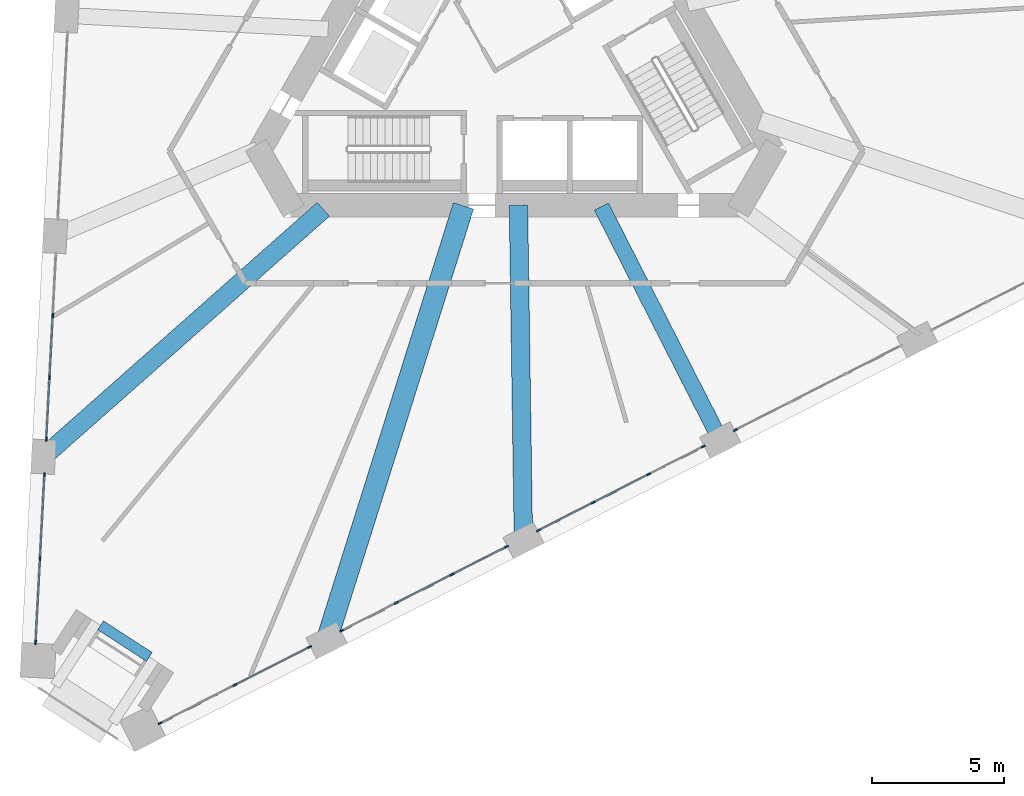
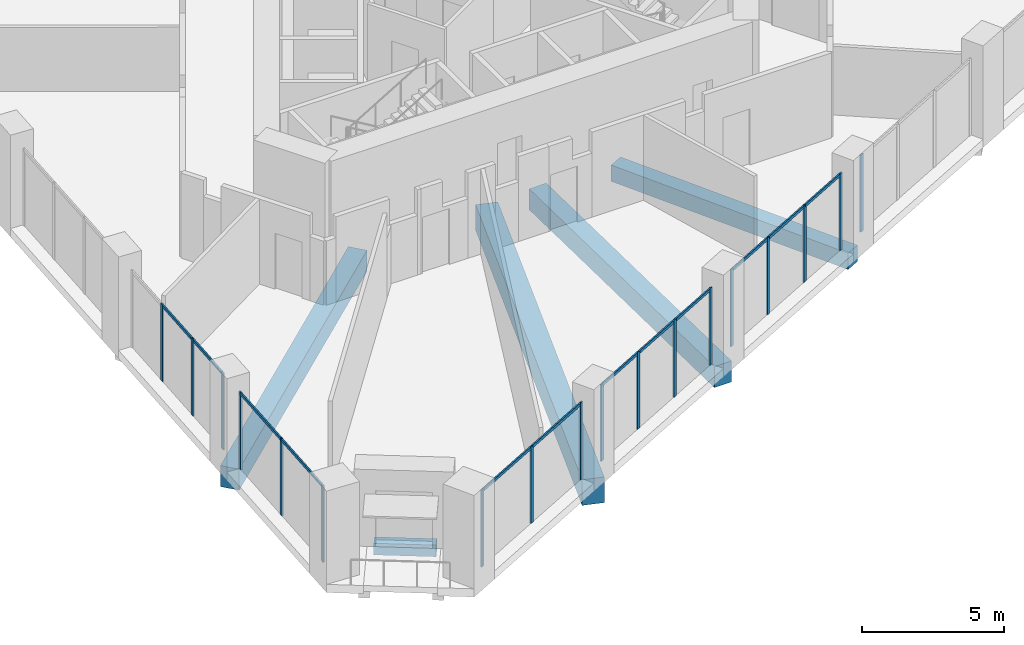
# One storey, part 2 of 18: 30 members, 5 beams, 6 elements without a shape of their own.
"""IFC4 building model written with IfcOpenShell, lengths in metres."""

from ifc_helpers import new_model, si_unit, direction, frame, origin, origin_2d, place, context, subcontext, project, spatial, rectangle, extrude, material, layer, layer_set, material_profile, profile_set, type_object, element, aggregate, save


model = new_model("IFC4")

# Units and contexts
model_context = context("Model", 3, precision=1e-05, world=origin(), true_north=direction((0.0, 1.0)))
body_context = subcontext(model_context, "Body", "Model", "MODEL_VIEW")
ifc_project = project(units=[si_unit("LENGTHUNIT", "METRE"), si_unit("AREAUNIT", "SQUARE_METRE"), si_unit("VOLUMEUNIT", "CUBIC_METRE"), si_unit("PLANEANGLEUNIT", "RADIAN"), si_unit("MASSUNIT", "GRAM", prefix="KILO")], contexts=[model_context])

# Site, building, storey
site_placement = place(None, origin())
site = spatial("IfcSite", under=ifc_project, at=site_placement, CompositionType="ELEMENT")
building_placement = place(site_placement, origin())
building = spatial("IfcBuilding", under=site, at=building_placement, Name="Tramontana Tower", CompositionType="ELEMENT")
storey_placement = place(building_placement, frame((0.0, 0.0, 125.60009765625)))
storey = spatial("IfcBuildingStorey", under=building, at=storey_placement, Name="L28", CompositionType="ELEMENT", Elevation=125.60009765625)

# Curtain wall, members
ifc_material_1 = material(Name="Aluminum extrusion", Category="aluminium")
ifc_layer = layer(ifc_material_1, 0.14990234375)
ifc_layer_set = layer_set([ifc_layer], Name="CW3 Sky lobby 1 curtain wall")
curtain_wall_type = type_object("IfcCurtainWallType", Name="CW3 Sky lobby 1 curtain wall", PredefinedType="NOTDEFINED", material=ifc_layer_set)
curtain_wall_1_placement = place(storey_placement, origin())
curtain_wall_1 = element("IfcCurtainWall", 1, at=curtain_wall_1_placement, inside=storey, type_object=curtain_wall_type, Name="CW3 curtain wall L28 face 0 bay 5", PredefinedType="NOTDEFINED")
ifc_material_2 = material(Name="Aluminum extrusion", Category="aluminium")
ifc_material_profile_1 = material_profile(ifc_material_2, rectangle(XDim=0.06005859375, YDim=0.159912109375, at=origin_2d()), Name="CW3-M Mullion 60 x 160")
ifc_profile_set_1 = profile_set([ifc_material_profile_1], Name="Aluminum extrusion")
member_type_1 = type_object("IfcMemberType", Name="CW3-M Mullion 60 x 160", PredefinedType="MULLION", material=ifc_profile_set_1)
member_1_placement = place(storey_placement, frame((-17.54736328125, -10.474853515625, 0.0), z_axis=(0.0, 0.0, 1.0), x_axis=(0.998629534755, -0.052335956243, 0.0)))
member_1 = element("IfcMember", 2, at=member_1_placement, type_object=member_type_1, Name="CW3 curtain wall L28 face 0 bay 5 mullion 2", PredefinedType="MULLION", context=body_context, shape_type="SweptSolid", body=[
    extrude(rectangle(XDim=0.06005859375, YDim=0.159912109375, at=origin_2d()), origin(), (0.0, 0.0, 1.0), 3.2998046875),
])
member_2_placement = place(storey_placement, frame((-17.670654296875, -12.828857421875, 0.0), z_axis=(0.0, 0.0, 1.0), x_axis=(0.998629534755, -0.052335956243, 0.0)))
member_2 = element("IfcMember", 3, at=member_2_placement, type_object=member_type_1, Name="CW3 curtain wall L28 face 0 bay 5 mullion 3", PredefinedType="MULLION", context=body_context, shape_type="SweptSolid", body=[
    extrude(rectangle(XDim=0.06005859375, YDim=0.159912109375, at=origin_2d()), origin(), (0.0, 0.0, 1.0), 3.2998046875),
])
member_3_placement = place(storey_placement, frame((-17.79248046875, -15.15283203125, 0.0), z_axis=(0.0, 0.0, 1.0), x_axis=(0.998629534755, -0.052335956243, 0.0)))
member_3 = element("IfcMember", 4, at=member_3_placement, type_object=member_type_1, Name="CW3 curtain wall L28 face 0 bay 5 mullion 4", PredefinedType="MULLION", context=body_context, shape_type="SweptSolid", body=[
    extrude(rectangle(XDim=0.06005859375, YDim=0.159912109375, at=origin_2d()), origin(), (0.0, 0.0, 1.0), 3.2998046875),
])

curtain_wall_2_placement = place(storey_placement, origin())
curtain_wall_2 = element("IfcCurtainWall", 5, at=curtain_wall_2_placement, inside=storey, type_object=curtain_wall_type, Name="CW3 curtain wall L28 face 0 bay 6", PredefinedType="NOTDEFINED")
member_4_placement = place(storey_placement, frame((-17.863525390625, -16.510986328125, 0.0), z_axis=(0.0, 0.0, 1.0), x_axis=(0.998629534755, -0.052335956243, 0.0)))
member_4 = element("IfcMember", 6, at=member_4_placement, type_object=member_type_1, Name="CW3 curtain wall L28 face 0 bay 6 mullion 1", PredefinedType="MULLION", context=body_context, shape_type="SweptSolid", body=[
    extrude(rectangle(XDim=0.06005859375, YDim=0.159912109375, at=origin_2d()), origin(), (0.0, 0.0, 1.0), 3.2998046875),
])
member_5_placement = place(storey_placement, frame((-18.030029296875, -19.687255859375, 0.0), z_axis=(0.0, 0.0, 1.0), x_axis=(0.998629534755, -0.052335956243, 0.0)))
member_5 = element("IfcMember", 7, at=member_5_placement, type_object=member_type_1, Name="CW3 curtain wall L28 face 0 bay 6 mullion 2", PredefinedType="MULLION", context=body_context, shape_type="SweptSolid", body=[
    extrude(rectangle(XDim=0.06005859375, YDim=0.159912109375, at=origin_2d()), origin(), (0.0, 0.0, 1.0), 3.2998046875),
])
member_6_placement = place(storey_placement, frame((-18.196533203125, -22.86376953125, 0.0), z_axis=(0.0, 0.0, 1.0), x_axis=(0.998629534755, -0.052335956243, 0.0)))
member_6 = element("IfcMember", 8, at=member_6_placement, type_object=member_type_1, Name="CW3 curtain wall L28 face 0 bay 6 mullion 3", PredefinedType="MULLION", context=body_context, shape_type="SweptSolid", body=[
    extrude(rectangle(XDim=0.06005859375, YDim=0.159912109375, at=origin_2d()), origin(), (0.0, 0.0, 1.0), 3.2998046875),
])

curtain_wall_3_placement = place(storey_placement, origin())
curtain_wall_3 = element("IfcCurtainWall", 9, at=curtain_wall_3_placement, inside=storey, type_object=curtain_wall_type, Name="CW3 curtain wall L28 face 1 bay 1", PredefinedType="NOTDEFINED")
member_7_placement = place(storey_placement, frame((-13.48583984375, -25.9228515625, 0.0), z_axis=(0.0, 0.0, 1.0), x_axis=(-0.45399049974, 0.891006524188, 0.0)))
member_7 = element("IfcMember", 10, at=member_7_placement, type_object=member_type_1, Name="CW3 curtain wall L28 face 1 bay 1 mullion 1", PredefinedType="MULLION", context=body_context, shape_type="SweptSolid", body=[
    extrude(rectangle(XDim=0.06005859375, YDim=0.159912109375, at=origin_2d()), origin(), (0.0, 0.0, 1.0), 3.2998046875),
])
member_8_placement = place(storey_placement, frame((-10.65185546875, -24.478759765625, 0.0), z_axis=(0.0, 0.0, 1.0), x_axis=(-0.45399049974, 0.891006524188, 0.0)))
member_8 = element("IfcMember", 11, at=member_8_placement, type_object=member_type_1, Name="CW3 curtain wall L28 face 1 bay 1 mullion 2", PredefinedType="MULLION", context=body_context, shape_type="SweptSolid", body=[
    extrude(rectangle(XDim=0.06005859375, YDim=0.159912109375, at=origin_2d()), origin(), (0.0, 0.0, 1.0), 3.2998046875),
])
member_9_placement = place(storey_placement, frame((-7.817626953125, -23.03466796875, 0.0), z_axis=(0.0, 0.0, 1.0), x_axis=(-0.45399049974, 0.891006524188, 0.0)))
member_9 = element("IfcMember", 12, at=member_9_placement, type_object=member_type_1, Name="CW3 curtain wall L28 face 1 bay 1 mullion 3", PredefinedType="MULLION", context=body_context, shape_type="SweptSolid", body=[
    extrude(rectangle(XDim=0.06005859375, YDim=0.159912109375, at=origin_2d()), origin(), (0.0, 0.0, 1.0), 3.2998046875),
])

curtain_wall_4_placement = place(storey_placement, origin())
curtain_wall_4 = element("IfcCurtainWall", 13, at=curtain_wall_4_placement, inside=storey, type_object=curtain_wall_type, Name="CW3 curtain wall L28 face 1 bay 2", PredefinedType="NOTDEFINED")
member_10_placement = place(storey_placement, frame((-6.60595703125, -22.417236328125, 0.0), z_axis=(0.0, 0.0, 1.0), x_axis=(-0.45399049974, 0.891006524188, 0.0)))
member_10 = element("IfcMember", 14, at=member_10_placement, type_object=member_type_1, Name="CW3 curtain wall L28 face 1 bay 2 mullion 1", PredefinedType="MULLION", context=body_context, shape_type="SweptSolid", body=[
    extrude(rectangle(XDim=0.06005859375, YDim=0.159912109375, at=origin_2d()), origin(), (0.0, 0.0, 1.0), 3.2998046875),
])
member_11_placement = place(storey_placement, frame((-4.5322265625, -21.36083984375, 0.0), z_axis=(0.0, 0.0, 1.0), x_axis=(-0.45399049974, 0.891006524188, 0.0)))
member_11 = element("IfcMember", 15, at=member_11_placement, type_object=member_type_1, Name="CW3 curtain wall L28 face 1 bay 2 mullion 2", PredefinedType="MULLION", context=body_context, shape_type="SweptSolid", body=[
    extrude(rectangle(XDim=0.06005859375, YDim=0.159912109375, at=origin_2d()), origin(), (0.0, 0.0, 1.0), 3.2998046875),
])
member_12_placement = place(storey_placement, frame((-2.43212890625, -20.290771484375, 0.0), z_axis=(0.0, 0.0, 1.0), x_axis=(-0.45399049974, 0.891006524188, 0.0)))
member_12 = element("IfcMember", 16, at=member_12_placement, type_object=member_type_1, Name="CW3 curtain wall L28 face 1 bay 2 mullion 3", PredefinedType="MULLION", context=body_context, shape_type="SweptSolid", body=[
    extrude(rectangle(XDim=0.06005859375, YDim=0.159912109375, at=origin_2d()), origin(), (0.0, 0.0, 1.0), 3.2998046875),
])
member_13_placement = place(storey_placement, frame((-0.358642578125, -19.234130859375, 0.0), z_axis=(0.0, 0.0, 1.0), x_axis=(-0.45399049974, 0.891006524188, 0.0)))
member_13 = element("IfcMember", 17, at=member_13_placement, type_object=member_type_1, Name="CW3 curtain wall L28 face 1 bay 2 mullion 4", PredefinedType="MULLION", context=body_context, shape_type="SweptSolid", body=[
    extrude(rectangle(XDim=0.06005859375, YDim=0.159912109375, at=origin_2d()), origin(), (0.0, 0.0, 1.0), 3.2998046875),
])

curtain_wall_5_placement = place(storey_placement, origin())
curtain_wall_5 = element("IfcCurtainWall", 18, at=curtain_wall_5_placement, inside=storey, type_object=curtain_wall_type, Name="CW3 curtain wall L28 face 1 bay 3", PredefinedType="NOTDEFINED")
member_14_placement = place(storey_placement, frame((0.853271484375, -18.61669921875, 0.0), z_axis=(0.0, 0.0, 1.0), x_axis=(-0.45399049974, 0.891006524188, 0.0)))
member_14 = element("IfcMember", 19, at=member_14_placement, type_object=member_type_1, Name="CW3 curtain wall L28 face 1 bay 3 mullion 1", PredefinedType="MULLION", context=body_context, shape_type="SweptSolid", body=[
    extrude(rectangle(XDim=0.06005859375, YDim=0.159912109375, at=origin_2d()), origin(), (0.0, 0.0, 1.0), 3.2998046875),
])
member_15_placement = place(storey_placement, frame((2.9267578125, -17.560302734375, 0.0), z_axis=(0.0, 0.0, 1.0), x_axis=(-0.45399049974, 0.891006524188, 0.0)))
member_15 = element("IfcMember", 20, at=member_15_placement, type_object=member_type_1, Name="CW3 curtain wall L28 face 1 bay 3 mullion 2", PredefinedType="MULLION", context=body_context, shape_type="SweptSolid", body=[
    extrude(rectangle(XDim=0.06005859375, YDim=0.159912109375, at=origin_2d()), origin(), (0.0, 0.0, 1.0), 3.2998046875),
])
member_16_placement = place(storey_placement, frame((5.027099609375, -16.489990234375, 0.0), z_axis=(0.0, 0.0, 1.0), x_axis=(-0.45399049974, 0.891006524188, 0.0)))
member_16 = element("IfcMember", 21, at=member_16_placement, type_object=member_type_1, Name="CW3 curtain wall L28 face 1 bay 3 mullion 3", PredefinedType="MULLION", context=body_context, shape_type="SweptSolid", body=[
    extrude(rectangle(XDim=0.06005859375, YDim=0.159912109375, at=origin_2d()), origin(), (0.0, 0.0, 1.0), 3.2998046875),
])
member_17_placement = place(storey_placement, frame((7.1005859375, -15.43359375, 0.0), z_axis=(0.0, 0.0, 1.0), x_axis=(-0.45399049974, 0.891006524188, 0.0)))
member_17 = element("IfcMember", 22, at=member_17_placement, type_object=member_type_1, Name="CW3 curtain wall L28 face 1 bay 3 mullion 4", PredefinedType="MULLION", context=body_context, shape_type="SweptSolid", body=[
    extrude(rectangle(XDim=0.06005859375, YDim=0.159912109375, at=origin_2d()), origin(), (0.0, 0.0, 1.0), 3.2998046875),
])

# Curtain wall, member
curtain_wall_6_placement = place(storey_placement, origin())
curtain_wall_6 = element("IfcCurtainWall", 23, at=curtain_wall_6_placement, inside=storey, type_object=curtain_wall_type, Name="CW3 curtain wall L28 face 1 bay 4", PredefinedType="NOTDEFINED")
member_18_placement = place(storey_placement, frame((8.312255859375, -14.816162109375, 0.0), z_axis=(0.0, 0.0, 1.0), x_axis=(-0.45399049974, 0.891006524188, 0.0)))
member_18 = element("IfcMember", 24, at=member_18_placement, type_object=member_type_1, Name="CW3 curtain wall L28 face 1 bay 4 mullion 1", PredefinedType="MULLION", context=body_context, shape_type="SweptSolid", body=[
    extrude(rectangle(XDim=0.06005859375, YDim=0.159912109375, at=origin_2d()), origin(), (0.0, 0.0, 1.0), 3.2998046875),
])
aggregate(curtain_wall_6, [member_18])

# Member
ifc_material_3 = material(Name="Aluminum extrusion", Category="aluminium")
ifc_material_profile_2 = material_profile(ifc_material_3, rectangle(XDim=0.06005859375, YDim=0.1201171875, at=origin_2d()), Name="CW3-T Transom 60 x 120")
ifc_profile_set_2 = profile_set([ifc_material_profile_2], Name="Aluminum extrusion")
member_type_2 = type_object("IfcMemberType", Name="CW3-T Transom 60 x 120", PredefinedType="USERDEFINED", material=ifc_profile_set_2)
member_19_placement = place(storey_placement, frame((-17.548828125, -10.504638671875, 3.239990234375), z_axis=(-0.052285519948, -0.998632176732, 0.0), x_axis=(0.998632176732, -0.052285519948, 0.0)))
member_19 = element("IfcMember", 25, at=member_19_placement, type_object=member_type_2, Name="CW3 curtain wall L28 face 0 bay 5 transom 2.1", ObjectType="TRANSOM", PredefinedType="USERDEFINED", context=body_context, shape_type="SweptSolid", body=[
    extrude(rectangle(XDim=0.06005859375, YDim=0.1201171875, at=origin_2d()), origin(), (0.0, 0.0, 1.0), 2.29736328125),
])

member_20_placement = place(storey_placement, frame((-17.672119140625, -12.858642578125, 3.239990234375), z_axis=(-0.052332762049, -0.99862970215, 0.0), x_axis=(0.99862970215, -0.052332762049, 0.0)))
member_20 = element("IfcMember", 26, at=member_20_placement, type_object=member_type_2, Name="CW3 curtain wall L28 face 0 bay 5 transom 3.1", ObjectType="TRANSOM", PredefinedType="USERDEFINED", context=body_context, shape_type="SweptSolid", body=[
    extrude(rectangle(XDim=0.06005859375, YDim=0.1201171875, at=origin_2d()), origin(), (0.0, 0.0, 1.0), 2.267333984375),
])

aggregate(curtain_wall_1, [member_1, member_2, member_3, member_19, member_20])

member_21_placement = place(storey_placement, frame((-17.865234375, -16.540771484375, 3.239990234375), z_axis=(-0.052337102902, -0.99862947466, 0.0), x_axis=(0.99862947466, -0.052337102902, 0.0)))
member_21 = element("IfcMember", 27, at=member_21_placement, type_object=member_type_2, Name="CW3 curtain wall L28 face 0 bay 6 transom 1.1", ObjectType="TRANSOM", PredefinedType="USERDEFINED", context=body_context, shape_type="SweptSolid", body=[
    extrude(rectangle(XDim=0.06005859375, YDim=0.1201171875, at=origin_2d()), origin(), (0.0, 0.0, 1.0), 3.120849609375),
])

member_22_placement = place(storey_placement, frame((-18.03173828125, -19.71728515625, 3.239990234375), z_axis=(-0.052337102902, -0.99862947466, 0.0), x_axis=(0.99862947466, -0.052337102902, 0.0)))
member_22 = element("IfcMember", 28, at=member_22_placement, type_object=member_type_2, Name="CW3 curtain wall L28 face 0 bay 6 transom 2.1", ObjectType="TRANSOM", PredefinedType="USERDEFINED", context=body_context, shape_type="SweptSolid", body=[
    extrude(rectangle(XDim=0.06005859375, YDim=0.1201171875, at=origin_2d()), origin(), (0.0, 0.0, 1.0), 3.120849609375),
])

aggregate(curtain_wall_2, [member_4, member_5, member_6, member_21, member_22])

member_23_placement = place(storey_placement, frame((-13.459228515625, -25.9091796875, 3.239990234375), z_axis=(0.891022183355, 0.453959765585, 0.0), x_axis=(-0.453959765585, 0.891022183355, 0.0)))
member_23 = element("IfcMember", 29, at=member_23_placement, type_object=member_type_2, Name="CW3 curtain wall L28 face 1 bay 1 transom 1.1", ObjectType="TRANSOM", PredefinedType="USERDEFINED", context=body_context, shape_type="SweptSolid", body=[
    extrude(rectangle(XDim=0.06005859375, YDim=0.1201171875, at=origin_2d()), origin(), (0.0, 0.0, 1.0), 3.120849609375),
])

member_24_placement = place(storey_placement, frame((-10.625, -24.46533203125, 3.239990234375), z_axis=(0.890974413018, 0.45405351595, 0.0), x_axis=(-0.45405351595, 0.890974413018, 0.0)))
member_24 = element("IfcMember", 30, at=member_24_placement, type_object=member_type_2, Name="CW3 curtain wall L28 face 1 bay 1 transom 2.1", ObjectType="TRANSOM", PredefinedType="USERDEFINED", context=body_context, shape_type="SweptSolid", body=[
    extrude(rectangle(XDim=0.06005859375, YDim=0.1201171875, at=origin_2d()), origin(), (0.0, 0.0, 1.0), 3.120849609375),
])

aggregate(curtain_wall_3, [member_7, member_8, member_9, member_23, member_24])

member_25_placement = place(storey_placement, frame((-6.5791015625, -22.40380859375, 3.239990234375), z_axis=(0.890998403094, 0.454006437932, 0.0), x_axis=(-0.454006437932, 0.890998403094, 0.0)))
member_25 = element("IfcMember", 31, at=member_25_placement, type_object=member_type_2, Name="CW3 curtain wall L28 face 1 bay 2 transom 1.1", ObjectType="TRANSOM", PredefinedType="USERDEFINED", context=body_context, shape_type="SweptSolid", body=[
    extrude(rectangle(XDim=0.06005859375, YDim=0.1201171875, at=origin_2d()), origin(), (0.0, 0.0, 1.0), 2.26708984375),
])

member_26_placement = place(storey_placement, frame((-4.505615234375, -21.34716796875, 3.239990234375), z_axis=(0.891000564526, 0.454002196046, 0.0), x_axis=(-0.454002196046, 0.891000564526, 0.0)))
member_26 = element("IfcMember", 32, at=member_26_placement, type_object=member_type_2, Name="CW3 curtain wall L28 face 1 bay 2 transom 2.1", ObjectType="TRANSOM", PredefinedType="USERDEFINED", context=body_context, shape_type="SweptSolid", body=[
    extrude(rectangle(XDim=0.06005859375, YDim=0.1201171875, at=origin_2d()), origin(), (0.0, 0.0, 1.0), 2.29736328125),
])

member_27_placement = place(storey_placement, frame((-2.4052734375, -20.277099609375, 3.239990234375), z_axis=(0.890998403094, 0.454006437932, 0.0), x_axis=(-0.454006437932, 0.890998403094, 0.0)))
member_27 = element("IfcMember", 33, at=member_27_placement, type_object=member_type_2, Name="CW3 curtain wall L28 face 1 bay 2 transom 3.1", ObjectType="TRANSOM", PredefinedType="USERDEFINED", context=body_context, shape_type="SweptSolid", body=[
    extrude(rectangle(XDim=0.06005859375, YDim=0.1201171875, at=origin_2d()), origin(), (0.0, 0.0, 1.0), 2.26708984375),
])

aggregate(curtain_wall_4, [member_10, member_11, member_12, member_13, member_25, member_26, member_27])

member_28_placement = place(storey_placement, frame((0.8798828125, -18.60302734375, 3.239990234375), z_axis=(0.891020596448, 0.453962880317, 0.0), x_axis=(-0.453962880317, 0.891020596448, 0.0)))
member_28 = element("IfcMember", 34, at=member_28_placement, type_object=member_type_2, Name="CW3 curtain wall L28 face 1 bay 3 transom 1.1", ObjectType="TRANSOM", PredefinedType="USERDEFINED", context=body_context, shape_type="SweptSolid", body=[
    extrude(rectangle(XDim=0.06005859375, YDim=0.1201171875, at=origin_2d()), origin(), (0.0, 0.0, 1.0), 2.267333984375),
])

member_29_placement = place(storey_placement, frame((2.95361328125, -17.546630859375, 3.239990234375), z_axis=(0.890978656446, 0.454045189114, 0.0), x_axis=(-0.454045189114, 0.890978656446, 0.0)))
member_29 = element("IfcMember", 35, at=member_29_placement, type_object=member_type_2, Name="CW3 curtain wall L28 face 1 bay 3 transom 2.1", ObjectType="TRANSOM", PredefinedType="USERDEFINED", context=body_context, shape_type="SweptSolid", body=[
    extrude(rectangle(XDim=0.06005859375, YDim=0.1201171875, at=origin_2d()), origin(), (0.0, 0.0, 1.0), 2.297119140625),
])

member_30_placement = place(storey_placement, frame((5.0537109375, -16.4765625, 3.239990234375), z_axis=(0.891020596448, 0.453962880317, 0.0), x_axis=(-0.453962880317, 0.891020596448, 0.0)))
member_30 = element("IfcMember", 36, at=member_30_placement, type_object=member_type_2, Name="CW3 curtain wall L28 face 1 bay 3 transom 3.1", ObjectType="TRANSOM", PredefinedType="USERDEFINED", context=body_context, shape_type="SweptSolid", body=[
    extrude(rectangle(XDim=0.06005859375, YDim=0.1201171875, at=origin_2d()), origin(), (0.0, 0.0, 1.0), 2.267333984375),
])

aggregate(curtain_wall_5, [member_14, member_15, member_16, member_17, member_28, member_29, member_30])

# Beams
ifc_material_4 = material(Name="Concrete 40 MPa", Category="concrete")
ifc_material_profile_3 = material_profile(ifc_material_4, rectangle(XDim=0.60009765625, YDim=0.699951171875, at=origin_2d()), Name="RC GIRDER 600X700 40 MPa")
ifc_profile_set_3 = profile_set([ifc_material_profile_3], Name="Concrete 40 MPa")
beam_type_1 = type_object("IfcBeamType", Name="RC GIRDER 600X700 40 MPa", PredefinedType="BEAM", material=ifc_profile_set_3)
beam_1_placement = place(storey_placement, frame((7.740478515625, -15.191650390625, -0.7001953125), z_axis=(-0.453980690523, 0.891011522166, 0.0), x_axis=(-0.891011522166, -0.453980690523, 0.0)))
element("IfcBeam", 37, at=beam_1_placement, inside=storey, type_object=beam_type_1, Name="Radial girder C3F08 L28", PredefinedType="BEAM", context=body_context, shape_type="SweptSolid", body=[
    extrude(rectangle(XDim=0.60009765625, YDim=0.699951171875, at=origin_2d()), origin(), (0.0, 0.0, 1.0), 9.924072265625),
])
ifc_material_5 = material(Name="Concrete 40 MPa", Category="concrete")
ifc_material_profile_4 = material_profile(ifc_material_5, rectangle(XDim=0.699951171875, YDim=0.89990234375, at=origin_2d()), Name="RC GIRDER 700X900 40 MPa")
ifc_profile_set_4 = profile_set([ifc_material_profile_4], Name="Concrete 40 MPa")
beam_type_2 = type_object("IfcBeamType", Name="RC GIRDER 700X900 40 MPa", PredefinedType="BEAM", material=ifc_profile_set_4)
beam_2_placement = place(storey_placement, frame((-17.90283203125, -15.827880859375, -0.800048828125), z_axis=(0.74918417634, 0.662361736456, 0.0), x_axis=(-0.662361736456, 0.74918417634, 0.0)))
element("IfcBeam", 38, at=beam_2_placement, inside=storey, type_object=beam_type_2, Name="Radial girder C3F05 L28", PredefinedType="BEAM", context=body_context, shape_type="SweptSolid", body=[
    extrude(rectangle(XDim=0.699951171875, YDim=0.89990234375, at=origin_2d()), origin(), (0.0, 0.0, 1.0), 14.1552734375),
])
beam_3_placement = place(storey_placement, frame((0.281494140625, -18.9921875, -0.800048828125), z_axis=(-0.014829000023, 0.999890044334, 0.0), x_axis=(-0.999890044334, -0.014829000023, 0.0)))
element("IfcBeam", 39, at=beam_3_placement, inside=storey, type_object=beam_type_2, Name="Radial girder C3F07 L28", PredefinedType="BEAM", context=body_context, shape_type="SweptSolid", body=[
    extrude(rectangle(XDim=0.699951171875, YDim=0.89990234375, at=origin_2d()), origin(), (0.0, 0.0, 1.0), 12.693603515625),
])
ifc_material_6 = material(Name="Concrete 40 MPa", Category="concrete")
ifc_material_profile_5 = material_profile(ifc_material_6, rectangle(XDim=0.800048828125, YDim=1.10009765625, at=origin_2d()), Name="RC GIRDER 800X1100 40 MPa")
ifc_profile_set_5 = profile_set([ifc_material_profile_5], Name="Concrete 40 MPa")
beam_type_3 = type_object("IfcBeamType", Name="RC GIRDER 800X1100 40 MPa", PredefinedType="BEAM", material=ifc_profile_set_5)
beam_4_placement = place(storey_placement, frame((-7.177734375, -22.79296875, -0.900146484375), z_axis=(0.300368764095, 0.953823152139, 0.0), x_axis=(-0.953823152139, 0.300368764095, 0.0)))
element("IfcBeam", 40, at=beam_4_placement, inside=storey, type_object=beam_type_3, Name="Radial girder C3F06 L28", PredefinedType="BEAM", context=body_context, shape_type="SweptSolid", body=[
    extrude(rectangle(XDim=0.800048828125, YDim=1.10009765625, at=origin_2d()), origin(), (0.0, 0.0, 1.0), 17.26953125),
])
ifc_material_7 = material(Name="Concrete 40 MPa", Category="concrete")
ifc_material_profile_6 = material_profile(ifc_material_7, rectangle(XDim=0.39990234375, YDim=0.5, at=origin_2d()), Name="RC TRIM BEAM 400X500 40 MPa")
ifc_profile_set_6 = profile_set([ifc_material_profile_6], Name="Concrete 40 MPa")
beam_type_4 = type_object("IfcBeamType", Name="RC TRIM BEAM 400X500 40 MPa", PredefinedType="JOIST", material=ifc_profile_set_6)
beam_5_placement = place(storey_placement, frame((-15.73681640625, -22.212646484375, -0.60009765625), z_axis=(0.838681849996, -0.544621661786, 0.0), x_axis=(0.544621661786, 0.838681849996, 0.0)))
element("IfcBeam", 41, at=beam_5_placement, inside=storey, type_object=beam_type_4, Name="Trimmer beam K1 L28", PredefinedType="JOIST", context=body_context, shape_type="SweptSolid", body=[
    extrude(rectangle(XDim=0.39990234375, YDim=0.5, at=origin_2d()), origin(), (0.0, 0.0, 1.0), 2.2001953125),
])

save(model, "model.ifc")
